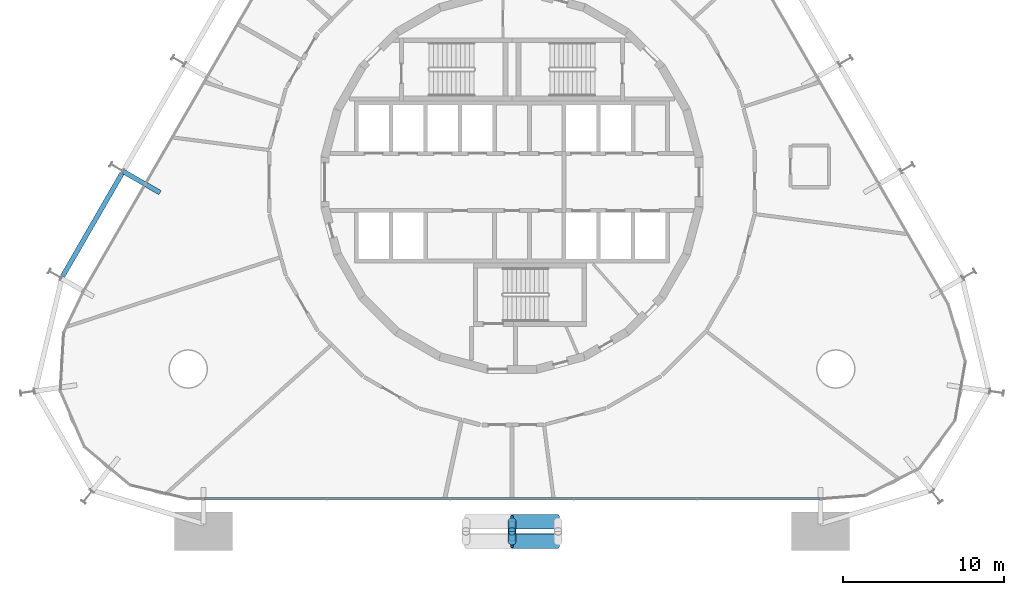
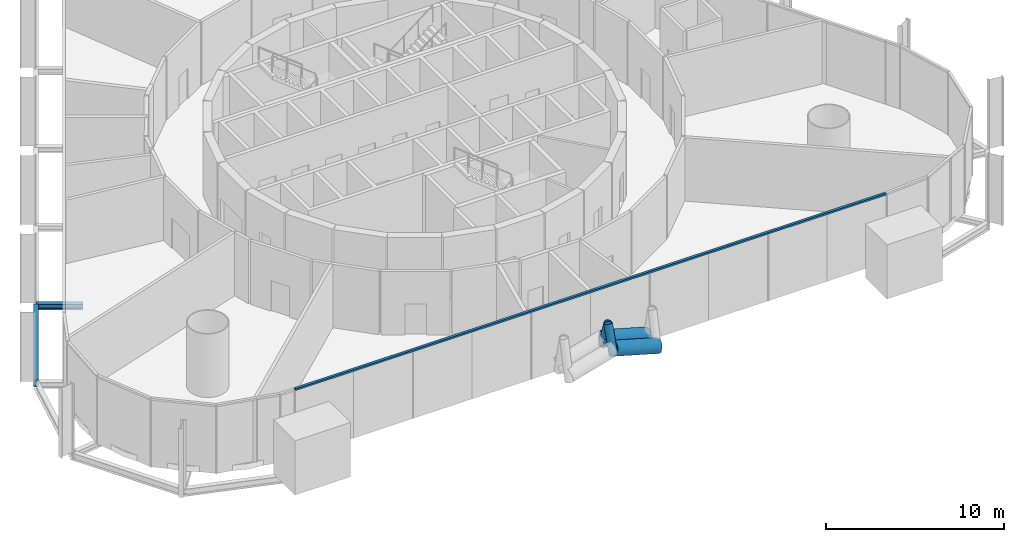
# One storey, part 4 of 17: 6 members, 2 beams, 1 element without a shape of its own.
"""IFC4 building model written with IfcOpenShell, lengths in metres."""

import ifcopenshell
import ifcopenshell.guid

model = None  # the IFC model being written
_history = None  # IfcOwnerHistory: only IFC2X3 demands one
_inside = {}  # id of a spatial element -> (the spatial element, [elements in it])
_under = {}  # id of a project, library or spatial element -> (it, [spatial elements below it])
_declared = {}  # id of a project -> (the project, [libraries it declares])
_typed = {}  # id of a type object -> (the type object, [elements of that type])
_made_of = {}  # id of a material, layer set ... -> (it, [elements and type objects made of it])


def new_model(schema):
    """Start an empty IFC model of exactly this schema.

    Asked for "IFC4X3", IfcOpenShell would pick the latest addendum, in which some entities
    have other attributes; the version numbers below select the first issue.
    IFC2X3 requires an IfcOwnerHistory on every rooted entity: one is made here for all.
    """
    global model, _history
    if schema == "IFC4X3":
        model = ifcopenshell.file(schema_version=(4, 3, 0, 0))
    else:
        model = ifcopenshell.file(schema=schema)
    _inside.clear()
    _under.clear()
    _declared.clear()
    _typed.clear()
    _made_of.clear()
    _history = None
    if model.schema == "IFC2X3":
        org = make("IfcOrganization", Name="unknown")
        user = make(
            "IfcPersonAndOrganization",
            ThePerson=make("IfcPerson", FamilyName="unknown"),
            TheOrganization=org,
        )
        app = make(
            "IfcApplication",
            ApplicationDeveloper=org,
            Version="unknown",
            ApplicationFullName="unknown",
            ApplicationIdentifier="unknown",
        )
        _history = make(
            "IfcOwnerHistory",
            OwningUser=user,
            OwningApplication=app,
            ChangeAction="ADDED",
            CreationDate=0,
        )
    return model


def make(cls, **values):
    """One entity of the class cls with the attributes given. An attribute that is None is left unset."""
    return model.create_entity(
        cls, **{name: value for name, value in values.items() if value is not None}
    )


def rooted(cls, **values):
    """An entity with a GlobalId (a new one), such as an element, a storey or a relation."""
    return make(cls, GlobalId=ifcopenshell.guid.new(), OwnerHistory=_history, **values)


def si_unit(unit_type, name, prefix=None):
    """IfcSIUnit, for example si_unit("LENGTHUNIT", "METRE", prefix="MILLI")."""
    return make("IfcSIUnit", UnitType=unit_type, Prefix=prefix, Name=name)


def assignment(units):
    """IfcUnitAssignment: the units of a project."""
    return None if units is None else make("IfcUnitAssignment", Units=units)


def point(xyz):
    """IfcCartesianPoint."""
    return None if xyz is None else make("IfcCartesianPoint", Coordinates=xyz)


def direction(xyz):
    """IfcDirection."""
    return None if xyz is None else make("IfcDirection", DirectionRatios=xyz)


def frame(location, z_axis=None, x_axis=None):
    """IfcAxis2Placement3D, a coordinate frame: its origin and axes. An axis left out is left unset."""
    return make(
        "IfcAxis2Placement3D",
        Location=point(location),
        Axis=direction(z_axis),
        RefDirection=direction(x_axis),
    )


def frame_2d(location, x_axis=None):
    """IfcAxis2Placement2D, a coordinate frame in the plane: its origin and x axis."""
    return make(
        "IfcAxis2Placement2D", Location=point(location), RefDirection=direction(x_axis)
    )


def origin():
    """The frame at (0, 0, 0) with its axes left unset."""
    return frame((0.0, 0.0, 0.0))


def origin_2d():
    """The frame at (0, 0) in the plane with its x axis left unset."""
    return frame_2d((0.0, 0.0))


def place(relative_to, where):
    """IfcLocalPlacement: puts the frame where relative to a parent placement (None: the world)."""
    return make(
        "IfcLocalPlacement", PlacementRelTo=relative_to, RelativePlacement=where
    )


def context(
    kind, dimensions, precision=None, world=None, true_north=None, identifier=None
):
    """IfcGeometricRepresentationContext, for example the 3D "Model" context."""
    return make(
        "IfcGeometricRepresentationContext",
        ContextIdentifier=identifier,
        ContextType=kind,
        CoordinateSpaceDimension=dimensions,
        Precision=precision,
        WorldCoordinateSystem=world,
        TrueNorth=true_north,
    )


def subcontext(parent, identifier, kind, view, scale=None):
    """IfcGeometricRepresentationSubContext, for example "Body" below "Model"."""
    return make(
        "IfcGeometricRepresentationSubContext",
        ContextIdentifier=identifier,
        ContextType=kind,
        ParentContext=parent,
        TargetScale=scale,
        TargetView=view,
    )


def project(units=None, contexts=None):
    """IfcProject with its units and contexts."""
    return rooted(
        "IfcProject",
        Name="project",
        RepresentationContexts=contexts,
        UnitsInContext=assignment(units),
    )


def spatial(cls, under=None, at=None, **own):
    """A site, building, storey or space (cls), placed at a placement, below another one or the project."""
    s = rooted(cls, ObjectPlacement=at, **own)
    if under is not None:
        _under.setdefault(under.id(), (under, []))[1].append(s)
    return s


def profile(cls, at=None, kind="AREA", **sizes):
    """A parametric profile (cls). Its sizes go by their IFC names, for example OverallWidth=200.0."""
    return make(cls, ProfileType=kind, Position=at, **sizes)


def rectangle(**sizes):
    """IfcRectangleProfileDef."""
    return profile("IfcRectangleProfileDef", **sizes)


def hollow_circle(**sizes):
    """IfcCircleHollowProfileDef."""
    return profile("IfcCircleHollowProfileDef", **sizes)


def i_section(**sizes):
    """IfcIShapeProfileDef."""
    return profile("IfcIShapeProfileDef", **sizes)


def extrude(swept, where, along, depth):
    """IfcExtrudedAreaSolid: the profile swept, set in the frame where, extruded along a direction by depth."""
    return make(
        "IfcExtrudedAreaSolid",
        SweptArea=swept,
        Position=where,
        ExtrudedDirection=direction(along),
        Depth=depth,
    )


def shape(context_of_items, identifier, shape_type, items):
    """IfcShapeRepresentation: the items that make up one representation, for example the "Body"."""
    return make(
        "IfcShapeRepresentation",
        ContextOfItems=context_of_items,
        RepresentationIdentifier=identifier,
        RepresentationType=shape_type,
        Items=items,
    )


def material(Name=None, Category=None):
    """IfcMaterial."""
    return make("IfcMaterial", Name=Name, Category=Category)


def layer(
    of_material, thickness, ventilated=None, Name=None, Category=None, Priority=None
):
    """IfcMaterialLayer: one layer of a wall or slab, of a material (None: an air gap)."""
    return make(
        "IfcMaterialLayer",
        Material=of_material,
        LayerThickness=thickness,
        IsVentilated=ventilated,
        Name=Name,
        Category=Category,
        Priority=Priority,
    )


def layer_set(layers, Name=None):
    """IfcMaterialLayerSet."""
    return make("IfcMaterialLayerSet", MaterialLayers=layers, LayerSetName=Name)


def material_profile(
    of_material, cross_section, Name=None, Category=None, Priority=None
):
    """IfcMaterialProfile: a cross section and its material."""
    return make(
        "IfcMaterialProfile",
        Name=Name,
        Material=of_material,
        Profile=cross_section,
        Priority=Priority,
        Category=Category,
    )


def profile_set(profiles, Name=None, composite=None):
    """IfcMaterialProfileSet."""
    return make(
        "IfcMaterialProfileSet",
        Name=Name,
        MaterialProfiles=profiles,
        CompositeProfile=composite,
    )


def made_of(thing, what):
    """Note that an element or type object is made of a material, layer set ...; save() writes the relation."""
    if what is not None:
        _made_of.setdefault(what.id(), (what, []))[1].append(thing)
    return thing


def type_object(cls, material=None, **own):
    """A type object (cls), such as IfcWallType, which elements share."""
    return made_of(rooted(cls, **own), material)


def element(
    cls,
    number,
    at=None,
    inside=None,
    cuts=None,
    type_object=None,
    material=None,
    context=None,
    identifier="Body",
    shape_type=None,
    held_by="IfcProductDefinitionShape",
    body=None,
    shapes=None,
    **own,
):
    """One element of the class cls, such as IfcWall. Its Tag is "e" and its number.

    at: its placement. inside: the storey or other place that contains it. cuts: it is an
    opening in that element (IfcRelVoidsElement). A single representation is given by context,
    identifier, shape_type and body (its items); several are given by shapes. held_by: the class
    of the entity that holds the representations. save() writes the other relations.
    """
    e = rooted(cls, Tag="e%d" % number, ObjectPlacement=at, **own)
    if body is not None:
        shapes = [shape(context, identifier, shape_type, body)]
    if shapes is not None:
        e.Representation = make(held_by, Representations=shapes)
    if inside is not None:
        _inside.setdefault(inside.id(), (inside, []))[1].append(e)
    if cuts is not None:
        rooted(
            "IfcRelVoidsElement", RelatingBuildingElement=cuts, RelatedOpeningElement=e
        )
    if type_object is not None:
        _typed.setdefault(type_object.id(), (type_object, []))[1].append(e)
    return made_of(e, material)


def aggregate(whole, parts):
    """IfcRelAggregates: a whole, such as a stair, and the parts it consists of."""
    return rooted("IfcRelAggregates", RelatingObject=whole, RelatedObjects=parts)


def save(model, path):
    """Write the relations noted so far, then the file.

    IfcRelAggregates (storeys below a building ...), IfcRelContainedInSpatialStructure (elements
    in a storey), IfcRelDefinesByType, IfcRelAssociatesMaterial and IfcRelDeclares: one each for
    every whole, place, type object, material and project.
    """
    for whole, parts in _under.values():
        aggregate(whole, parts)
    for where, things in _inside.values():
        rooted(
            "IfcRelContainedInSpatialStructure",
            RelatedElements=things,
            RelatingStructure=where,
        )
    for kind, things in _typed.values():
        rooted("IfcRelDefinesByType", RelatedObjects=things, RelatingType=kind)
    for what, things in _made_of.values():
        rooted("IfcRelAssociatesMaterial", RelatedObjects=things, RelatingMaterial=what)
    for by, libraries in _declared.values():
        rooted("IfcRelDeclares", RelatingContext=by, RelatedDefinitions=libraries)
    model.write(path)


model = new_model("IFC4")

# Units and contexts
model_context = context("Model", 3, precision=1e-05, world=origin(), true_north=direction((0.0, 1.0)))
body_context = subcontext(model_context, "Body", "Model", "MODEL_VIEW")
ifc_project = project(units=[si_unit("LENGTHUNIT", "METRE"), si_unit("AREAUNIT", "SQUARE_METRE"), si_unit("VOLUMEUNIT", "CUBIC_METRE"), si_unit("PLANEANGLEUNIT", "RADIAN"), si_unit("MASSUNIT", "GRAM", prefix="KILO")], contexts=[model_context])

# Site, building, storey
site_placement = place(None, origin())
site = spatial("IfcSite", under=ifc_project, at=site_placement, CompositionType="ELEMENT")
building_placement = place(site_placement, origin())
building = spatial("IfcBuilding", under=site, at=building_placement, Name="Spindle Arch Residences", CompositionType="ELEMENT")
storey_placement = place(building_placement, frame((0.0, 0.0, 28.199951171875)))
storey = spatial("IfcBuildingStorey", under=building, at=storey_placement, Name="L05", CompositionType="ELEMENT", Elevation=28.199951171875)

# Members
ifc_material_1 = material(Name="Steel S355J2, intumescent coating R 240", Category="steel")
ifc_material_profile_1 = material_profile(ifc_material_1, hollow_circle(Radius=0.25390625, WallThickness=0.02490234375, at=origin_2d()), Name="CHS 508x25")
ifc_profile_set_1 = profile_set([ifc_material_profile_1], Name="Steel S355J2, intumescent coating R 240")
member_type_1 = type_object("IfcMemberType", Name="Arch hanger CHS 508x25", PredefinedType="BRACE", material=ifc_profile_set_1)
for number, where, z_axis, x_axis, name in (
    (1, (0.0, -21.72998046875, 3.342041015625), (0.0, -0.312712828909, -0.949847717603), (1.0, 0.0, 0.0), "Arch hanger 1.12"),
    (2, (0.0, -21.72998046875, 3.342041015625), (0.0, 0.312827650241, -0.949809907953), (-1.0, 0.0, 0.0), "Arch hanger 2.12"),
):
    element("IfcMember", number, at=place(storey_placement, frame(where, z_axis=z_axis, x_axis=x_axis)), inside=storey, type_object=member_type_1, Name=name, PredefinedType="BRACE", context=body_context, shape_type="SweptSolid", body=[
        extrude(hollow_circle(Radius=0.25390625, WallThickness=0.02490234375, at=origin_2d()), origin(), (0.0, 0.0, 1.0), 1.918212890625),
    ])
ifc_material_2 = material(Name="Steel S355J2, intumescent coating R 240", Category="steel")
ifc_material_profile_2 = material_profile(ifc_material_2, hollow_circle(Radius=0.45703125, WallThickness=0.050048828125, at=origin_2d()), Name="CHS 914x50")
ifc_profile_set_2 = profile_set([ifc_material_profile_2], Name="Steel S355J2, intumescent coating R 240")
member_type_2 = type_object("IfcMemberType", Name="Arch rib CHS 914x50", PredefinedType="MEMBER", material=ifc_profile_set_2)
for number, where, z_axis, x_axis, name in (
    (3, (0.0, -22.329833984375, 1.977294921875), (0.962057824422, 0.0, -0.272845638537), (0.0, 1.0, 0.0), "Arch rib 1.13"),
    (4, (0.0, -21.1298828125, 1.977294921875), (0.962057824422, 0.0, -0.272845638537), (0.0, 1.0, 0.0), "Arch rib 2.13"),
):
    element("IfcMember", number, at=place(storey_placement, frame(where, z_axis=z_axis, x_axis=x_axis)), inside=storey, type_object=member_type_2, Name=name, PredefinedType="MEMBER", context=body_context, shape_type="SweptSolid", body=[
        extrude(hollow_circle(Radius=0.45703125, WallThickness=0.050048828125, at=origin_2d()), origin(), (0.0, 0.0, 1.0), 2.97509765625),
    ])
ifc_material_3 = material(Name="Steel S355J2, intumescent coating R 240", Category="steel")
ifc_material_profile_3 = material_profile(ifc_material_3, hollow_circle(Radius=0.203125, WallThickness=0.02001953125, at=origin_2d()), Name="CHS 406.4x20")
ifc_profile_set_3 = profile_set([ifc_material_profile_3], Name="Steel S355J2, intumescent coating R 240")
member_type_3 = type_object("IfcMemberType", Name="Arch tie CHS 406.4x20", PredefinedType="MEMBER", material=ifc_profile_set_3)
member_1_placement = place(storey_placement, frame((0.0, -22.329833984375, 1.977294921875), z_axis=(0.0, 1.0, 0.0), x_axis=(-1.0, 0.0, 0.0)))
element("IfcMember", 5, at=member_1_placement, inside=storey, type_object=member_type_3, Name="Arch tie 12", PredefinedType="MEMBER", context=body_context, shape_type="SweptSolid", body=[
    extrude(hollow_circle(Radius=0.203125, WallThickness=0.02001953125, at=origin_2d()), origin(), (0.0, 0.0, 1.0), 1.199951171875),
])

# Curtain wall, member
ifc_material_4 = material(Name="Aluminium bronze unitised frame with tinted glass", Category="aluminium")
ifc_layer = layer(ifc_material_4, 0.159912109375)
ifc_layer_set = layer_set([ifc_layer], Name="CW-B amenity podium glazed wall")
curtain_wall_type = type_object("IfcCurtainWallType", Name="CW-B amenity podium glazed wall", PredefinedType="NOTDEFINED", material=ifc_layer_set)
curtain_wall_placement = place(storey_placement, origin())
curtain_wall = element("IfcCurtainWall", 6, at=curtain_wall_placement, inside=storey, type_object=curtain_wall_type, Name="CW-B L05 run 6", PredefinedType="NOTDEFINED")
ifc_material_5 = material(Name="Aluminium bronze anodised transom", Category="aluminium")
ifc_material_profile_4 = material_profile(ifc_material_5, rectangle(XDim=0.159912109375, YDim=0.1201171875, at=origin_2d()), Name="TR 120x160")
ifc_profile_set_4 = profile_set([ifc_material_profile_4], Name="Aluminium bronze anodised transom")
member_type_4 = type_object("IfcMemberType", Name="Bronze transom 120x160", PredefinedType="USERDEFINED", material=ifc_profile_set_4)
member_2_placement = place(storey_placement, frame((-19.170166015625, -19.7099609375, 4.2900390625), z_axis=(1.0, 0.0, 0.0), x_axis=(0.0, 1.0, 0.0)))
member_2 = element("IfcMember", 7, at=member_2_placement, type_object=member_type_4, Name="CW-B transom 00", ObjectType="TRANSOM", PredefinedType="USERDEFINED", context=body_context, shape_type="SweptSolid", body=[
    extrude(rectangle(XDim=0.159912109375, YDim=0.1201171875, at=origin_2d()), origin(), (0.0, 0.0, 1.0), 38.34033203125),
])
aggregate(curtain_wall, [member_2])

# Beams
ifc_material_6 = material(Name="Steel S460ML, intumescent coating R 120", Category="steel")
ifc_material_profile_5 = material_profile(ifc_material_6, i_section(OverallWidth=0.300048828125, OverallDepth=0.5, WebThickness=0.014404296875, FlangeThickness=0.028076171875, FilletRadius=0.027099609375, at=origin_2d()), Name="HEB 500")
ifc_profile_set_5 = profile_set([ifc_material_profile_5], Name="Steel S460ML, intumescent coating R 120")
beam_type_1 = type_object("IfcBeamType", Name="Exoskeleton edge beam HEB 500", PredefinedType="BEAM", material=ifc_profile_set_5)
beam_1_placement = place(storey_placement, frame((-24.25390625, 0.550537109375, -0.6298828125), z_axis=(-0.50002815445, -0.866009148195, 0.0), x_axis=(0.866009148195, -0.50002815445, 0.0)))
element("IfcBeam", 8, at=beam_1_placement, inside=storey, type_object=beam_type_1, Name="Exoskeleton edge beam 18", PredefinedType="BEAM", context=body_context, shape_type="SweptSolid", body=[
    extrude(i_section(OverallWidth=0.300048828125, OverallDepth=0.5, WebThickness=0.014404296875, FlangeThickness=0.028076171875, FilletRadius=0.027099609375, at=origin_2d()), origin(), (0.0, 0.0, 1.0), 7.419921875),
])
ifc_material_7 = material(Name="Steel S460ML, intumescent coating R 120", Category="steel")
ifc_material_profile_6 = material_profile(ifc_material_7, i_section(OverallWidth=0.300048828125, OverallDepth=0.389892578125, WebThickness=0.010986328125, FlangeThickness=0.01904296875, FilletRadius=0.027099609375, at=origin_2d()), Name="HEA 400")
ifc_profile_set_6 = profile_set([ifc_material_profile_6], Name="Steel S460ML, intumescent coating R 120")
beam_type_2 = type_object("IfcBeamType", Name="Floor outrigger HEA 400", PredefinedType="BEAM", material=ifc_profile_set_6)
beam_2_placement = place(storey_placement, frame((-24.18896484375, 0.6630859375, -0.574951171875), z_axis=(0.866029095148, -0.499993606316, 0.0), x_axis=(0.499993606316, 0.866029095148, 0.0)))
element("IfcBeam", 9, at=beam_2_placement, inside=storey, type_object=beam_type_2, Name="Floor outrigger 18", PredefinedType="BEAM", context=body_context, shape_type="SweptSolid", body=[
    extrude(i_section(OverallWidth=0.300048828125, OverallDepth=0.389892578125, WebThickness=0.010986328125, FlangeThickness=0.01904296875, FilletRadius=0.027099609375, at=origin_2d()), origin(), (0.0, 0.0, 1.0), 2.64990234375),
])

save(model, "model.ifc")
